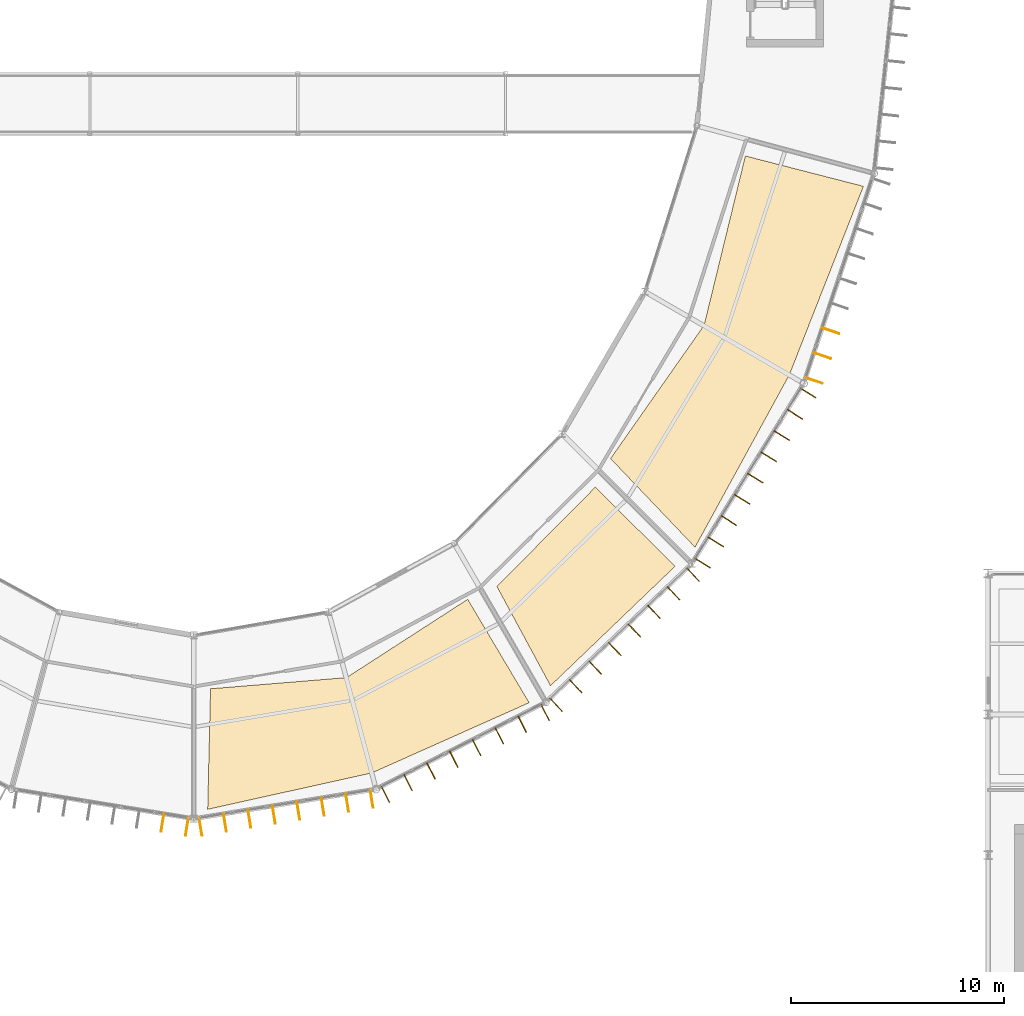
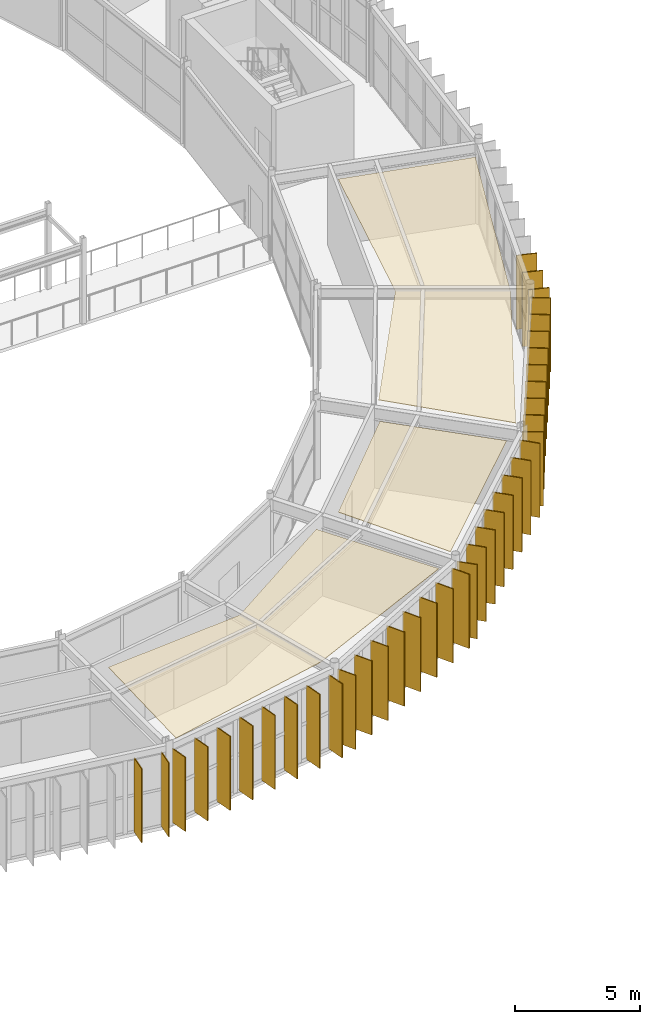
# One storey, part 137 of 147: 38 shading devices, 3 coverings.
"""IFC4 building model written with IfcOpenShell, lengths in metres."""

from ifc_helpers import new_model, si_unit, direction, frame, origin, origin_2d, place, context, subcontext, project, spatial, polyline, rectangle, outline, extrude, material, layer, layer_set, type_object, element, save


model = new_model("IFC4")

# Units and contexts
model_context = context("Model", 3, precision=1e-05, world=origin(), true_north=direction((0.0, 1.0)))
body_context = subcontext(model_context, "Body", "Model", "MODEL_VIEW")
ifc_project = project(units=[si_unit("LENGTHUNIT", "METRE"), si_unit("AREAUNIT", "SQUARE_METRE"), si_unit("VOLUMEUNIT", "CUBIC_METRE"), si_unit("PLANEANGLEUNIT", "RADIAN"), si_unit("MASSUNIT", "GRAM", prefix="KILO")], contexts=[model_context])

# Site, building, storey
site_placement = place(None, origin())
site = spatial("IfcSite", under=ifc_project, at=site_placement, CompositionType="ELEMENT")
building_placement = place(site_placement, origin())
building = spatial("IfcBuilding", under=site, at=building_placement, Name="Karori Crest Natural Sciences Institute", CompositionType="ELEMENT")
storey_placement = place(building_placement, frame((0.0, 0.0, 9.10009765625)))
storey = spatial("IfcBuildingStorey", under=building, at=storey_placement, Name="L02", CompositionType="ELEMENT", Elevation=9.10009765625)

# Coverings
ifc_material_1 = material(Name="Acoustic mineral fibre ceiling tile")
ifc_layer_1 = layer(ifc_material_1, 0.02490234375, Name="Acoustic mineral fibre ceiling tile")
ifc_layer_set_1 = layer_set([ifc_layer_1], Name="Acoustic mineral fibre ceiling tile")
covering_type = type_object("IfcCoveringType", Name="CVT-CEIL", PredefinedType="CEILING", material=ifc_layer_set_1)
covering_1_placement = place(storey_placement, frame((0.0, 0.0, 3.704833984375)))
element("IfcCovering", 1, at=covering_1_placement, inside=storey, type_object=covering_type, Name="Acoustic ceiling CLG-0073", PredefinedType="CEILING", context=body_context, shape_type="SweptSolid", body=[
    extrude(outline(polyline([(73.555908203125, 15.72021484375), (67.183349609375, 15.197265625), (67.05078125, 9.548095703125), (74.745361328125, 11.255615234375), (82.1103515625, 14.54345703125), (79.2314453125, 19.38720703125), (73.555908203125, 15.72021484375)])), origin(), (0.0, 0.0, 1.0), 0.025146484375),
])
covering_2_placement = place(storey_placement, frame((0.0, 0.0, 3.704833984375)))
element("IfcCovering", 2, at=covering_2_placement, inside=storey, type_object=covering_type, Name="Acoustic ceiling CLG-0074", PredefinedType="CEILING", context=body_context, shape_type="SweptSolid", body=[
    extrude(outline(polyline([(85.21337890625, 24.64599609375), (80.598388671875, 19.988525390625), (83.110595703125, 15.337890625), (88.943603515625, 20.929443359375), (85.21337890625, 24.64599609375)])), origin(), (0.0, 0.0, 1.0), 0.025146484375),
])
covering_3_placement = place(storey_placement, frame((0.0, 0.0, 3.704833984375)))
element("IfcCovering", 3, at=covering_3_placement, inside=storey, type_object=covering_type, Name="Acoustic ceiling CLG-0075", PredefinedType="CEILING", context=body_context, shape_type="SweptSolid", body=[
    extrude(outline(polyline([(90.30615234375, 32.2275390625), (85.923095703125, 25.978271484375), (89.881591796875, 21.826171875), (94.302734375, 29.908935546875), (97.769287109375, 38.73388671875), (92.23876953125, 40.156494140625), (90.30615234375, 32.2275390625)])), origin(), (0.0, 0.0, 1.0), 0.025146484375),
])

# Shading devices
ifc_material_2 = material(Name="Anodised architectural aluminium 6063-T6", Category="aluminium")
ifc_layer_2 = layer(ifc_material_2, 0.044921875, Name="Anodised architectural aluminium 6063-T6")
ifc_layer_set_2 = layer_set([ifc_layer_2], Name="Anodised architectural aluminium 6063-T6")
shading_device_type = type_object("IfcShadingDeviceType", Name="SDT-FIN", PredefinedType="USERDEFINED", material=ifc_layer_set_2)
for number, where, z_axis, x_axis, name in (
    (4, (66.081787109375, 8.736328125, 0.0), (0.0, 0.0, 1.0), (-0.160651265334, -0.987011231419, 0.0), "Vertical solar fin FN-0350"),
    (5, (64.9345703125, 8.923095703125, 0.0), (0.0, 0.0, 1.0), (-0.160651265334, -0.987011231419, 0.0), "Vertical solar fin FN-0351"),
    (6, (74.734619140625, 10.041259765625, 0.0), (0.0, 0.0, 1.0), (0.16065643331, -0.987010390237, 0.0), "Vertical solar fin FN-0358"),
    (7, (73.58935546875, 9.85498046875, 0.0), (0.0, 0.0, 1.0), (0.16065643331, -0.987010390237, 0.0), "Vertical solar fin FN-0359"),
    (8, (72.444091796875, 9.66845703125, 0.0), (0.0, 0.0, 1.0), (0.16065643331, -0.987010390237, 0.0), "Vertical solar fin FN-0360"),
    (9, (71.299072265625, 9.48193359375, 0.0), (0.0, 0.0, 1.0), (0.16065643331, -0.987010390237, 0.0), "Vertical solar fin FN-0361"),
    (10, (70.15380859375, 9.295654296875, 0.0), (0.0, 0.0, 1.0), (0.16065643331, -0.987010390237, 0.0), "Vertical solar fin FN-0362"),
    (11, (69.008544921875, 9.109130859375, 0.0), (0.0, 0.0, 1.0), (0.16065643331, -0.987010390237, 0.0), "Vertical solar fin FN-0363"),
    (12, (67.86328125, 8.9228515625, 0.0), (0.0, 0.0, 1.0), (0.16065643331, -0.987010390237, 0.0), "Vertical solar fin FN-0364"),
    (13, (66.718017578125, 8.736328125, 0.0), (0.0, 0.0, 1.0), (0.16065643331, -0.987010390237, 0.0), "Vertical solar fin FN-0365"),
    (14, (82.85546875, 14.082763671875, 0.0), (0.0, 0.0, 1.0), (0.455832320655, -0.890065669176, 0.0), "Vertical solar fin FN-0366"),
    (15, (81.78662109375, 13.535400390625, 0.0), (0.0, 0.0, 1.0), (0.455832320655, -0.890065669176, 0.0), "Vertical solar fin FN-0367"),
    (16, (80.7177734375, 12.988037109375, 0.0), (0.0, 0.0, 1.0), (0.455832320655, -0.890065669176, 0.0), "Vertical solar fin FN-0368"),
    (17, (79.64892578125, 12.440673828125, 0.0), (0.0, 0.0, 1.0), (0.455832320655, -0.890065669176, 0.0), "Vertical solar fin FN-0369"),
    (18, (78.580078125, 11.893310546875, 0.0), (0.0, 0.0, 1.0), (0.455832320655, -0.890065669176, 0.0), "Vertical solar fin FN-0370"),
    (19, (77.510986328125, 11.345703125, 0.0), (0.0, 0.0, 1.0), (0.455832320655, -0.890065669176, 0.0), "Vertical solar fin FN-0371"),
    (20, (76.4423828125, 10.79833984375, 0.0), (0.0, 0.0, 1.0), (0.455832320655, -0.890065669176, 0.0), "Vertical solar fin FN-0372"),
    (21, (75.373291015625, 10.2509765625, 0.0), (0.0, 0.0, 1.0), (0.455832320655, -0.890065669176, 0.0), "Vertical solar fin FN-0373"),
    (22, (89.7900390625, 20.53759765625, 0.0), (0.0, 0.0, 1.0), (0.688250755242, -0.725472878824, 0.0), "Vertical solar fin FN-0374"),
    (23, (88.873046875, 19.66748046875, 0.0), (0.0, 0.0, 1.0), (0.688250755242, -0.725472878824, 0.0), "Vertical solar fin FN-0375"),
    (24, (87.9560546875, 18.797607421875, 0.0), (0.0, 0.0, 1.0), (0.688250755242, -0.725472878824, 0.0), "Vertical solar fin FN-0376"),
    (25, (87.0390625, 17.927734375, 0.0), (0.0, 0.0, 1.0), (0.688250755242, -0.725472878824, 0.0), "Vertical solar fin FN-0377"),
    (26, (86.1220703125, 17.0576171875, 0.0), (0.0, 0.0, 1.0), (0.688250755242, -0.725472878824, 0.0), "Vertical solar fin FN-0378"),
    (27, (85.204833984375, 16.187744140625, 0.0), (0.0, 0.0, 1.0), (0.688250755242, -0.725472878824, 0.0), "Vertical solar fin FN-0379"),
    (28, (84.287841796875, 15.317626953125, 0.0), (0.0, 0.0, 1.0), (0.688250755242, -0.725472878824, 0.0), "Vertical solar fin FN-0380"),
    (29, (83.370849609375, 14.44775390625, 0.0), (0.0, 0.0, 1.0), (0.688250755242, -0.725472878824, 0.0), "Vertical solar fin FN-0381"),
    (30, (95.181640625, 29.04931640625, 0.0), (0.0, 0.0, 1.0), (0.849661763889, -0.527328063907, 0.0), "Vertical solar fin FN-0382"),
    (31, (94.5634765625, 28.05322265625, 0.0), (0.0, 0.0, 1.0), (0.849661763889, -0.527328063907, 0.0), "Vertical solar fin FN-0383"),
    (32, (93.9453125, 27.05712890625, 0.0), (0.0, 0.0, 1.0), (0.849661763889, -0.527328063907, 0.0), "Vertical solar fin FN-0384"),
    (33, (93.3271484375, 26.06103515625, 0.0), (0.0, 0.0, 1.0), (0.849661763889, -0.527328063907, 0.0), "Vertical solar fin FN-0385"),
    (34, (92.708984375, 25.06494140625, 0.0), (0.0, 0.0, 1.0), (0.849661763889, -0.527328063907, 0.0), "Vertical solar fin FN-0386"),
    (35, (92.090576171875, 24.06884765625, 0.0), (0.0, 0.0, 1.0), (0.849661763889, -0.527328063907, 0.0), "Vertical solar fin FN-0387"),
    (36, (91.472412109375, 23.07275390625, 0.0), (0.0, 0.0, 1.0), (0.849661763889, -0.527328063907, 0.0), "Vertical solar fin FN-0388"),
    (37, (90.854248046875, 22.07666015625, 0.0), (0.0, 0.0, 1.0), (0.849661763889, -0.527328063907, 0.0), "Vertical solar fin FN-0389"),
    (38, (90.236083984375, 21.08056640625, 0.0), (0.0, 0.0, 1.0), (0.849661763889, -0.527328063907, 0.0), "Vertical solar fin FN-0390"),
    (39, (96.23681640625, 31.96435546875, 0.0), (0.0, 0.0, 1.0), (0.948196204549, -0.317685312343, 0.0), "Vertical solar fin FN-0397"),
    (40, (95.845947265625, 30.7978515625, 0.0), (0.0, 0.0, 1.0), (0.948196204549, -0.317685312343, 0.0), "Vertical solar fin FN-0398"),
    (41, (95.455078125, 29.63134765625, 0.0), (0.0, 0.0, 1.0), (0.948196204549, -0.317685312343, 0.0), "Vertical solar fin FN-0399"),
):
    element("IfcShadingDevice", number, at=place(storey_placement, frame(where, z_axis=z_axis, x_axis=x_axis)), inside=storey, type_object=shading_device_type, Name=name, ObjectType="SOLAR_FIN", PredefinedType="USERDEFINED", context=body_context, shape_type="SweptSolid", body=[
        extrude(rectangle(XDim=0.85009765625, YDim=0.044921875, at=origin_2d()), origin(), (0.0, 0.0, 1.0), 3.625),
    ])

save(model, "model.ifc")
